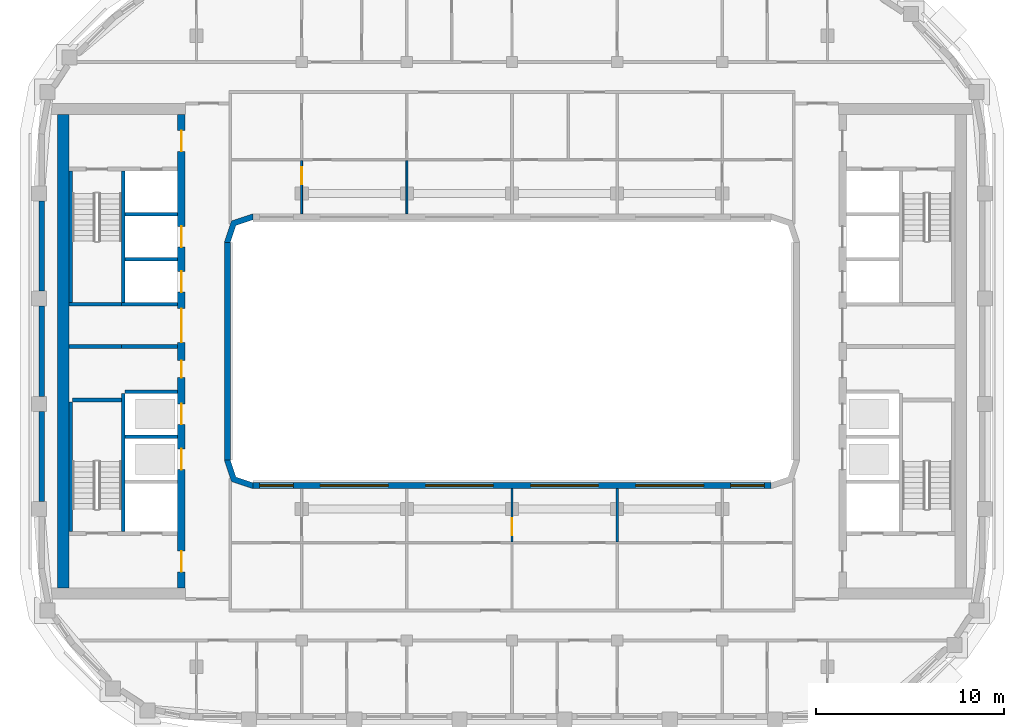
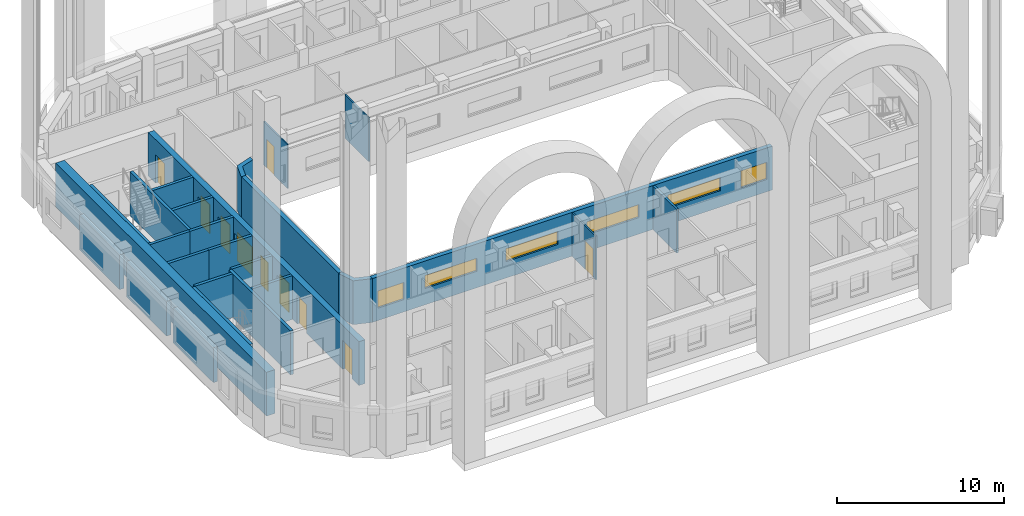
# One storey, part 4 of 19: 26 walls, 10 doors, 6 windows, 16 openings.
"""IFC4 building model written with IfcOpenShell, lengths in metres."""

from ifc_helpers import new_model, si_unit, direction, frame, frame_2d, origin, place, context, subcontext, project, spatial, polyline, rectangle, outline, extrude, material, layer, layer_set, type_object, element, fill, save


model = new_model("IFC4")

# Units and contexts
model_context = context("Model", 3, precision=1e-05, world=origin(), true_north=direction((0.0, 1.0)))
body_context = subcontext(model_context, "Body", "Model", "MODEL_VIEW")
ifc_project = project(units=[si_unit("LENGTHUNIT", "METRE"), si_unit("AREAUNIT", "SQUARE_METRE"), si_unit("VOLUMEUNIT", "CUBIC_METRE"), si_unit("PLANEANGLEUNIT", "RADIAN"), si_unit("MASSUNIT", "GRAM", prefix="KILO")], contexts=[model_context])

# Site, building, storey
site_placement = place(None, origin())
site = spatial("IfcSite", under=ifc_project, at=site_placement, CompositionType="ELEMENT")
building_placement = place(site_placement, origin())
building = spatial("IfcBuilding", under=site, at=building_placement, Name="Kiln Ring Residences", CompositionType="ELEMENT")
storey_placement = place(building_placement, frame((0.0, 0.0, 241.699951171875)))
storey = spatial("IfcBuildingStorey", under=building, at=storey_placement, Name="L62", CompositionType="ELEMENT", Elevation=241.699951171875)

# Walls
ifc_material_1 = material(Name="Gypsum board on steel studs", Category="steel")
ifc_layer_1 = layer(ifc_material_1, 0.199951171875)
ifc_layer_set_1 = layer_set([ifc_layer_1], Name="CORE-PARTITION-200")
wall_type_1 = type_object("IfcWallType", Name="CORE-PARTITION-200", PredefinedType="PARTITIONING", material=ifc_layer_set_1)
wall_1_placement = place(storey_placement, frame((-20.800048828125, 0.25, 0.0), z_axis=(0.0, 0.0, 1.0), x_axis=(-1.0, 0.0, 0.0)))
element("IfcWall", 1, at=wall_1_placement, inside=storey, type_object=wall_type_1, Name="Core partition west L62 1", PredefinedType="PARTITIONING", context=body_context, shape_type="SweptSolid", body=[
    extrude(rectangle(XDim=2.800048828125, YDim=0.199951171875, at=frame_2d((1.39990234375, 0.0))), origin(), (0.0, 0.0, 1.0), 3.199951171875),
])
ifc_material_2 = material(Name="Gypsum shaft wall system")
ifc_layer_2 = layer(ifc_material_2, 0.199951171875)
ifc_layer_set_2 = layer_set([ifc_layer_2], Name="CORE-SHAFT-WALL-200")
wall_type_2 = type_object("IfcWallType", Name="CORE-SHAFT-WALL-200", PredefinedType="PARTITIONING", material=ifc_layer_set_2)
for number, where, z_axis, x_axis, name in (
    (2, (-17.800048828125, -4.550048828125, 0.0), (0.0, 0.0, 1.0), (-1.0, 0.0, 0.0), "Core partition west L62 3"),
    (3, (-17.800048828125, -2.14990234375, 0.0), (0.0, 0.0, 1.0), (-1.0, 0.0, 0.0), "Core partition west L62 4"),
):
    element("IfcWall", number, at=place(storey_placement, frame(where, z_axis=z_axis, x_axis=x_axis)), inside=storey, type_object=wall_type_2, Name=name, PredefinedType="PARTITIONING", context=body_context, shape_type="SweptSolid", body=[
        extrude(rectangle(XDim=2.800048828125, YDim=0.199951171875, at=frame_2d((1.39990234375, 0.0))), origin(), (0.0, 0.0, 1.0), 3.199951171875),
    ])
for number, where, z_axis, x_axis, name in (
    (4, (-17.800048828125, 0.25, 0.0), (0.0, 0.0, 1.0), (-1.0, 0.0, 0.0), "Core partition west L62 5"),
    (5, (-17.800048828125, 2.5, 0.0), (0.0, 0.0, 1.0), (-1.0, 0.0, 0.0), "Core partition west L62 6"),
):
    element("IfcWall", number, at=place(storey_placement, frame(where, z_axis=z_axis, x_axis=x_axis)), inside=storey, type_object=wall_type_2, Name=name, PredefinedType="PARTITIONING", context=body_context, shape_type="SweptSolid", body=[
        extrude(rectangle(XDim=3.0, YDim=0.199951171875, at=frame_2d((1.5, 0.0))), origin(), (0.0, 0.0, 1.0), 3.199951171875),
    ])
for number, where, z_axis, x_axis, name in (
    (6, (-17.800048828125, 4.89990234375, 0.0), (0.0, 0.0, 1.0), (-1.0, 0.0, 0.0), "Core partition west L62 7"),
    (7, (-17.800048828125, 7.300048828125, 0.0), (0.0, 0.0, 1.0), (-1.0, 0.0, 0.0), "Core partition west L62 8"),
):
    element("IfcWall", number, at=place(storey_placement, frame(where, z_axis=z_axis, x_axis=x_axis)), inside=storey, type_object=wall_type_2, Name=name, PredefinedType="PARTITIONING", context=body_context, shape_type="SweptSolid", body=[
        extrude(rectangle(XDim=2.800048828125, YDim=0.199951171875, at=frame_2d((1.39990234375, 0.0))), origin(), (0.0, 0.0, 1.0), 3.199951171875),
    ])
ifc_material_3 = material(Name="Concrete C40/50", Category="concrete")
ifc_layer_3 = layer(ifc_material_3, 0.199951171875)
ifc_layer_set_3 = layer_set([ifc_layer_3], Name="CORE-WALL-RC200")
wall_type_3 = type_object("IfcWallType", Name="CORE-WALL-RC200", PredefinedType="SHEAR", material=ifc_layer_set_3)
wall_2_placement = place(storey_placement, frame((-20.699951171875, 2.60009765625, 0.0), z_axis=(0.0, 0.0, 1.0), x_axis=(0.0, 1.0, 0.0)))
element("IfcWall", 8, at=wall_2_placement, inside=storey, type_object=wall_type_3, Name="Core wall west L62 1", PredefinedType="SHEAR", context=body_context, shape_type="SweptSolid", body=[
    extrude(rectangle(XDim=7.0, YDim=0.199951171875, at=frame_2d((3.5, 0.0))), origin(), (0.0, 0.0, 1.0), 3.199951171875),
])
wall_3_placement = place(storey_placement, frame((-20.699951171875, -9.60009765625, 0.0), z_axis=(0.0, 0.0, 1.0), x_axis=(0.0, 1.0, 0.0)))
element("IfcWall", 9, at=wall_3_placement, inside=storey, type_object=wall_type_3, Name="Core wall west L62 2", PredefinedType="SHEAR", context=body_context, shape_type="SweptSolid", body=[
    extrude(rectangle(XDim=7.35009765625, YDim=0.199951171875, at=frame_2d((3.675048828125, 0.0))), origin(), (0.0, 0.0, 1.0), 3.199951171875),
])
wall_4_placement = place(storey_placement, frame((-20.800048828125, 2.5, 0.0), z_axis=(0.0, 0.0, 1.0), x_axis=(-1.0, 0.0, 0.0)))
element("IfcWall", 10, at=wall_4_placement, inside=storey, type_object=wall_type_3, Name="Core wall west L62 3", PredefinedType="SHEAR", context=body_context, shape_type="SweptSolid", body=[
    extrude(rectangle(XDim=2.800048828125, YDim=0.199951171875, at=frame_2d((1.39990234375, 0.0))), origin(), (0.0, 0.0, 1.0), 3.199951171875),
])
wall_5_placement = place(storey_placement, frame((-23.5, 2.60009765625, 0.0), z_axis=(0.0, 0.0, 1.0), x_axis=(0.0, 1.0, 0.0)))
element("IfcWall", 11, at=wall_5_placement, inside=storey, type_object=wall_type_3, Name="Core wall west L62 10", PredefinedType="SHEAR", context=body_context, shape_type="SweptSolid", body=[
    extrude(rectangle(XDim=7.0, YDim=0.199951171875, at=frame_2d((3.5, 0.0))), origin(), (0.0, 0.0, 1.0), 3.199951171875),
])
wall_6_placement = place(storey_placement, frame((-23.5, -9.60009765625, 0.0), z_axis=(0.0, 0.0, 1.0), x_axis=(0.0, 1.0, 0.0)))
element("IfcWall", 12, at=wall_6_placement, inside=storey, type_object=wall_type_3, Name="Core wall west L62 11", PredefinedType="SHEAR", context=body_context, shape_type="SweptSolid", body=[
    extrude(rectangle(XDim=6.900146484375, YDim=0.199951171875, at=frame_2d((3.4501953125, 0.0))), origin(), (0.0, 0.0, 1.0), 3.199951171875),
])
wall_7_placement = place(storey_placement, frame((-20.800048828125, -2.60009765625, 0.0), z_axis=(0.0, 0.0, 1.0), x_axis=(-1.0, 0.0, 0.0)))
element("IfcWall", 13, at=wall_7_placement, inside=storey, type_object=wall_type_3, Name="Core wall west L62 12", PredefinedType="SHEAR", context=body_context, shape_type="SweptSolid", body=[
    extrude(rectangle(XDim=2.599853515625, YDim=0.199951171875, at=frame_2d((1.2998046875, 0.0))), origin(), (0.0, 0.0, 1.0), 3.199951171875),
])

# Wall, openings, doors
ifc_material_4 = material(Name="Concrete C60/75", Category="concrete")
ifc_layer_4 = layer(ifc_material_4, 0.39990234375)
ifc_layer_set_4 = layer_set([ifc_layer_4], Name="CORE-WALL-RC400")
wall_type_4 = type_object("IfcWallType", Name="CORE-WALL-RC400", PredefinedType="SHEAR", material=ifc_layer_set_4)
wall_8_placement = place(storey_placement, frame((-17.60009765625, -12.60009765625, 0.0), z_axis=(0.0, 0.0, 1.0), x_axis=(0.0, 1.0, 0.0)))
wall_8 = element("IfcWall", 14, at=wall_8_placement, inside=storey, type_object=wall_type_4, Name="Core wall west L62 6", PredefinedType="SHEAR", context=body_context, shape_type="SweptSolid", body=[
    extrude(rectangle(XDim=25.2001953125, YDim=0.39990234375, at=frame_2d((12.60009765625, 0.0))), origin(), (0.0, 0.0, 1.0), 3.199951171875),
])
opening_1_placement = place(wall_8_placement, frame((6.300048828125, 0.0, 0.0)))
opening_1 = element("IfcOpeningElement", 15, at=opening_1_placement, cuts=wall_8, Name="Opening L62-CW02", PredefinedType="OPENING", context=body_context, shape_type="SweptSolid", body=[
    extrude(rectangle(XDim=1.10009765625, YDim=2.10009765625, at=frame_2d((0.550048828125, 1.050048828125))), frame((0.0, 0.2099609375, 0.0), z_axis=(0.0, -1.0, 0.0), x_axis=(1.0, 0.0, 0.0)), (0.0, 0.0, 1.0), 0.419921875),
])
opening_2_placement = place(wall_8_placement, frame((8.699951171875, 0.0, 0.0)))
opening_2 = element("IfcOpeningElement", 16, at=opening_2_placement, cuts=wall_8, Name="Opening L62-CW03", PredefinedType="OPENING", context=body_context, shape_type="SweptSolid", body=[
    extrude(rectangle(XDim=1.10009765625, YDim=2.10009765625, at=frame_2d((0.550048828125, 1.050048828125))), frame((0.0, 0.2099609375, 0.0), z_axis=(0.0, -1.0, 0.0), x_axis=(1.0, 0.0, 0.0)), (0.0, 0.0, 1.0), 0.419921875),
])
opening_3_placement = place(wall_8_placement, frame((11.199951171875, 0.0, 0.0)))
opening_3 = element("IfcOpeningElement", 17, at=opening_3_placement, cuts=wall_8, Name="Opening L62-CW04", PredefinedType="OPENING", context=body_context, shape_type="SweptSolid", body=[
    extrude(rectangle(XDim=0.89990234375, YDim=2.10009765625, at=frame_2d((0.449951171875, 1.050048828125))), frame((0.0, 0.2099609375, 0.0), z_axis=(0.0, -1.0, 0.0), x_axis=(1.0, 0.0, 0.0)), (0.0, 0.0, 1.0), 0.419921875),
])
opening_4_placement = place(wall_8_placement, frame((15.75, 0.0, 0.0)))
opening_4 = element("IfcOpeningElement", 18, at=opening_4_placement, cuts=wall_8, Name="Opening L62-CW05", PredefinedType="OPENING", context=body_context, shape_type="SweptSolid", body=[
    extrude(rectangle(XDim=1.10009765625, YDim=2.10009765625, at=frame_2d((0.550048828125, 1.050048828125))), frame((0.0, 0.2099609375, 0.0), z_axis=(0.0, -1.0, 0.0), x_axis=(1.0, 0.0, 0.0)), (0.0, 0.0, 1.0), 0.419921875),
])
opening_5_placement = place(wall_8_placement, frame((18.14990234375, 0.0, 0.0)))
opening_5 = element("IfcOpeningElement", 19, at=opening_5_placement, cuts=wall_8, Name="Opening L62-CW06", PredefinedType="OPENING", context=body_context, shape_type="SweptSolid", body=[
    extrude(rectangle(XDim=1.10009765625, YDim=2.10009765625, at=frame_2d((0.550048828125, 1.050048828125))), frame((0.0, 0.2099609375, 0.0), z_axis=(0.0, -1.0, 0.0), x_axis=(1.0, 0.0, 0.0)), (0.0, 0.0, 1.0), 0.419921875),
])
opening_6_placement = place(wall_8_placement, frame((23.25, 0.0, 0.0)))
opening_6 = element("IfcOpeningElement", 20, at=opening_6_placement, cuts=wall_8, Name="Opening L62-CW08", PredefinedType="OPENING", context=body_context, shape_type="SweptSolid", body=[
    extrude(rectangle(XDim=1.10009765625, YDim=2.10009765625, at=frame_2d((0.550048828125, 1.050048828125))), frame((0.0, 0.2099609375, 0.0), z_axis=(0.0, -1.0, 0.0), x_axis=(1.0, 0.0, 0.0)), (0.0, 0.0, 1.0), 0.419921875),
])
opening_7_placement = place(wall_8_placement, frame((0.85009765625, 0.0, 0.0)))
opening_7 = element("IfcOpeningElement", 21, at=opening_7_placement, cuts=wall_8, Name="Opening L62-CW09", PredefinedType="OPENING", context=body_context, shape_type="SweptSolid", body=[
    extrude(rectangle(XDim=1.10009765625, YDim=2.10009765625, at=frame_2d((0.550048828125, 1.050048828125))), frame((0.0, 0.2099609375, 0.0), z_axis=(0.0, -1.0, 0.0), x_axis=(1.0, 0.0, 0.0)), (0.0, 0.0, 1.0), 0.419921875),
])
opening_8_placement = place(wall_8_placement, frame((13.074951171875, 0.0, 0.0)))
opening_8 = element("IfcOpeningElement", 22, at=opening_8_placement, cuts=wall_8, Name="Opening L62-CW12", PredefinedType="OPENING", context=body_context, shape_type="SweptSolid", body=[
    extrude(rectangle(XDim=1.800048828125, YDim=2.10009765625, at=frame_2d((0.89990234375, 1.050048828125))), frame((0.0, 0.2099609375, 0.0), z_axis=(0.0, -1.0, 0.0), x_axis=(1.0, 0.0, 0.0)), (0.0, 0.0, 1.0), 0.419921875),
])
ifc_material_5 = material(Name="Steel door leaf", Category="steel")
door_type_1 = type_object("IfcDoorType", Name="CORE-DOOR-LD", OperationType="DOUBLE_DOOR_SLIDING", PredefinedType="DOOR", material=ifc_material_5)
door_1_placement = place(opening_1_placement, origin())
door_1 = element("IfcDoor", 23, at=door_1_placement, inside=storey, type_object=door_type_1, Name="LD W-H1 L62-CW02", OperationType="DOUBLE_DOOR_SLIDING", OverallHeight=2.10009765625, OverallWidth=1.10009765625, PredefinedType="DOOR", context=body_context, shape_type="SweptSolid", body=[
    extrude(rectangle(XDim=1.10009765625, YDim=2.10009765625, at=frame_2d((0.550048828125, 1.050048828125))), frame((0.0, 0.02490234375, 0.0), z_axis=(0.0, -1.0, 0.0), x_axis=(1.0, 0.0, 0.0)), (0.0, 0.0, 1.0), 0.050048828125),
])
fill(opening_1, door_1)
door_2_placement = place(opening_2_placement, origin())
door_2 = element("IfcDoor", 24, at=door_2_placement, inside=storey, type_object=door_type_1, Name="LD W-H2 L62-CW03", OperationType="DOUBLE_DOOR_SLIDING", OverallHeight=2.10009765625, OverallWidth=1.10009765625, PredefinedType="DOOR", context=body_context, shape_type="SweptSolid", body=[
    extrude(rectangle(XDim=1.10009765625, YDim=2.10009765625, at=frame_2d((0.550048828125, 1.050048828125))), frame((0.0, 0.02490234375, 0.0), z_axis=(0.0, -1.0, 0.0), x_axis=(1.0, 0.0, 0.0)), (0.0, 0.0, 1.0), 0.050048828125),
])
fill(opening_2, door_2)
door_3_placement = place(opening_4_placement, origin())
door_3 = element("IfcDoor", 25, at=door_3_placement, inside=storey, type_object=door_type_1, Name="LD W-M1 L62-CW05", OperationType="DOUBLE_DOOR_SLIDING", OverallHeight=2.10009765625, OverallWidth=1.10009765625, PredefinedType="DOOR", context=body_context, shape_type="SweptSolid", body=[
    extrude(rectangle(XDim=1.10009765625, YDim=2.10009765625, at=frame_2d((0.550048828125, 1.050048828125))), frame((0.0, 0.02490234375, 0.0), z_axis=(0.0, -1.0, 0.0), x_axis=(1.0, 0.0, 0.0)), (0.0, 0.0, 1.0), 0.050048828125),
])
fill(opening_4, door_3)
door_4_placement = place(opening_5_placement, origin())
door_4 = element("IfcDoor", 26, at=door_4_placement, inside=storey, type_object=door_type_1, Name="LD W-M2 L62-CW06", OperationType="DOUBLE_DOOR_SLIDING", OverallHeight=2.10009765625, OverallWidth=1.10009765625, PredefinedType="DOOR", context=body_context, shape_type="SweptSolid", body=[
    extrude(rectangle(XDim=1.10009765625, YDim=2.10009765625, at=frame_2d((0.550048828125, 1.050048828125))), frame((0.0, 0.02490234375, 0.0), z_axis=(0.0, -1.0, 0.0), x_axis=(1.0, 0.0, 0.0)), (0.0, 0.0, 1.0), 0.050048828125),
])
fill(opening_5, door_4)
ifc_material_6 = material(Name="Steel door leaf", Category="steel")
door_type_2 = type_object("IfcDoorType", Name="CORE-DOOR-LOBBY", OperationType="SINGLE_SWING_LEFT", PredefinedType="DOOR", material=ifc_material_6)
door_5_placement = place(opening_6_placement, origin())
door_5 = element("IfcDoor", 27, at=door_5_placement, inside=storey, type_object=door_type_2, Name="FFL L62-CW08", OperationType="SINGLE_SWING_LEFT", OverallHeight=2.10009765625, OverallWidth=1.10009765625, PredefinedType="DOOR", context=body_context, shape_type="SweptSolid", body=[
    extrude(rectangle(XDim=1.10009765625, YDim=2.10009765625, at=frame_2d((0.550048828125, 1.050048828125))), frame((0.0, 0.02490234375, 0.0), z_axis=(0.0, -1.0, 0.0), x_axis=(1.0, 0.0, 0.0)), (0.0, 0.0, 1.0), 0.050048828125),
])
fill(opening_6, door_5)
door_6_placement = place(opening_7_placement, origin())
door_6 = element("IfcDoor", 28, at=door_6_placement, inside=storey, type_object=door_type_2, Name="SVL L62-CW09", OperationType="SINGLE_SWING_RIGHT", OverallHeight=2.10009765625, OverallWidth=1.10009765625, PredefinedType="DOOR", context=body_context, shape_type="SweptSolid", body=[
    extrude(rectangle(XDim=1.10009765625, YDim=2.10009765625, at=frame_2d((0.550048828125, 1.050048828125))), frame((0.0, 0.02490234375, 0.0), z_axis=(0.0, -1.0, 0.0), x_axis=(1.0, 0.0, 0.0)), (0.0, 0.0, 1.0), 0.050048828125),
])
fill(opening_7, door_6)
ifc_material_7 = material(Name="Steel door leaf", Category="steel")
door_type_3 = type_object("IfcDoorType", Name="CORE-DOOR-PASS", OperationType="DOUBLE_DOOR_SINGLE_SWING", PredefinedType="DOOR", material=ifc_material_7)
door_7_placement = place(opening_8_placement, origin())
door_7 = element("IfcDoor", 29, at=door_7_placement, inside=storey, type_object=door_type_3, Name="Core passage L62-CW12", OperationType="DOUBLE_DOOR_SINGLE_SWING", OverallHeight=2.10009765625, OverallWidth=1.800048828125, PredefinedType="DOOR", context=body_context, shape_type="SweptSolid", body=[
    extrude(rectangle(XDim=1.800048828125, YDim=2.10009765625, at=frame_2d((0.89990234375, 1.050048828125))), frame((0.0, 0.02490234375, 0.0), z_axis=(0.0, -1.0, 0.0), x_axis=(1.0, 0.0, 0.0)), (0.0, 0.0, 1.0), 0.050048828125),
])
fill(opening_8, door_7)
ifc_material_8 = material(Name="Steel door leaf", Category="steel")
door_type_4 = type_object("IfcDoorType", Name="CORE-DOOR-ROOM", OperationType="SINGLE_SWING_LEFT", PredefinedType="DOOR", material=ifc_material_8)
door_8_placement = place(opening_3_placement, origin())
door_8 = element("IfcDoor", 30, at=door_8_placement, inside=storey, type_object=door_type_4, Name="Cleaner's base L62-CW04", OperationType="SINGLE_SWING_RIGHT", OverallHeight=2.10009765625, OverallWidth=0.89990234375, PredefinedType="DOOR", context=body_context, shape_type="SweptSolid", body=[
    extrude(rectangle(XDim=0.89990234375, YDim=2.10009765625, at=frame_2d((0.449951171875, 1.050048828125))), frame((0.0, 0.02490234375, 0.0), z_axis=(0.0, -1.0, 0.0), x_axis=(1.0, 0.0, 0.0)), (0.0, 0.0, 1.0), 0.050048828125),
])
fill(opening_3, door_8)

# Walls
ifc_material_9 = material(Name="Concrete C60/75", Category="concrete")
ifc_layer_5 = layer(ifc_material_9, 0.60009765625)
ifc_layer_set_5 = layer_set([ifc_layer_5], Name="CORE-WALL-RC600")
wall_type_5 = type_object("IfcWallType", Name="CORE-WALL-RC600", PredefinedType="SHEAR", material=ifc_layer_set_5)
wall_9_placement = place(storey_placement, frame((-23.89990234375, -12.60009765625, 0.0), z_axis=(0.0, 0.0, 1.0), x_axis=(0.0, 1.0, 0.0)))
element("IfcWall", 31, at=wall_9_placement, inside=storey, type_object=wall_type_5, Name="Core wall west L62 7", PredefinedType="SHEAR", context=body_context, shape_type="SweptSolid", body=[
    extrude(rectangle(XDim=25.2001953125, YDim=0.60009765625, at=frame_2d((12.60009765625, 0.0))), origin(), (0.0, 0.0, 1.0), 3.199951171875),
])
ifc_material_10 = material(Name="Brick masonry, dark clay brick", Category="masonry")
ifc_layer_6 = layer(ifc_material_10, 0.300048828125)
ifc_layer_set_6 = layer_set([ifc_layer_6], Name="EW-300 BRICK WALL")
wall_type_6 = type_object("IfcWallType", Name="EW-300 BRICK WALL", PredefinedType="SOLIDWALL", material=ifc_layer_set_6)
wall_10_placement = place(storey_placement, frame((-25.050048828125, 8.0, 0.0), z_axis=(0.0, 0.0, 1.0), x_axis=(0.0, -1.0, 0.0)))
element("IfcWall", 32, at=wall_10_placement, inside=storey, type_object=wall_type_6, Name="Facade wall L62 39", PredefinedType="SOLIDWALL", context=body_context, shape_type="SweptSolid", body=[
    extrude(rectangle(XDim=4.800048828125, YDim=0.300048828125, at=frame_2d((2.39990234375, 0.0))), origin(), (0.0, 0.0, 1.0), 2.550048828125),
])
wall_11_placement = place(storey_placement, frame((-25.050048828125, 2.39990234375, 0.0), z_axis=(0.0, 0.0, 1.0), x_axis=(0.0, -1.0, 0.0)))
element("IfcWall", 33, at=wall_11_placement, inside=storey, type_object=wall_type_6, Name="Facade wall L62 40", PredefinedType="SOLIDWALL", context=body_context, shape_type="SweptSolid", body=[
    extrude(rectangle(XDim=4.7998046875, YDim=0.300048828125, at=frame_2d((2.39990234375, 0.0))), origin(), (0.0, 0.0, 1.0), 2.550048828125),
])
wall_12_placement = place(storey_placement, frame((-25.050048828125, -3.199951171875, 0.0), z_axis=(0.0, 0.0, 1.0), x_axis=(0.0, -1.0, 0.0)))
element("IfcWall", 34, at=wall_12_placement, inside=storey, type_object=wall_type_6, Name="Facade wall L62 41", PredefinedType="SOLIDWALL", context=body_context, shape_type="SweptSolid", body=[
    extrude(rectangle(XDim=4.800048828125, YDim=0.300048828125, at=frame_2d((2.39990234375, 0.0))), origin(), (0.0, 0.0, 1.0), 2.550048828125),
])
wall_13_placement = place(storey_placement, frame((-15.14990234375, -5.800048828125, 0.0), z_axis=(0.0, 0.0, 1.0), x_axis=(0.0, 1.0, 0.0)))
element("IfcWall", 35, at=wall_13_placement, inside=storey, type_object=wall_type_6, Name="Facade wall L62 45", PredefinedType="SOLIDWALL", context=body_context, shape_type="SweptSolid", body=[
    extrude(rectangle(XDim=11.60009765625, YDim=0.300048828125, at=frame_2d((5.800048828125, 0.0))), origin(), (0.0, 0.0, 1.0), 3.199951171875),
])

# Wall, openings, windows
wall_14_placement = place(storey_placement, frame((13.800048828125, -7.14990234375, 0.0), z_axis=(0.0, 0.0, 1.0), x_axis=(-1.0, 0.0, 0.0)))
wall_14 = element("IfcWall", 36, at=wall_14_placement, inside=storey, type_object=wall_type_6, Name="Facade wall L62 48", PredefinedType="SOLIDWALL", context=body_context, shape_type="SweptSolid", body=[
    extrude(rectangle(XDim=27.60009765625, YDim=0.300048828125, at=frame_2d((13.800048828125, 0.0))), origin(), (0.0, 0.0, 1.0), 3.199951171875),
])
opening_9_placement = place(wall_14_placement, frame((0.362548828125, 0.0, 0.89990234375)))
opening_9 = element("IfcOpeningElement", 37, at=opening_9_placement, cuts=wall_14, Name="Opening W2", PredefinedType="OPENING", context=body_context, shape_type="SweptSolid", body=[
    extrude(rectangle(XDim=1.800048828125, YDim=1.25, at=frame_2d((0.89990234375, 0.625))), frame((0.0, 0.159912109375, 0.0), z_axis=(0.0, -1.0, 0.0), x_axis=(1.0, 0.0, 0.0)), (0.0, 0.0, 1.0), 0.320068359375),
])
opening_10_placement = place(wall_14_placement, frame((3.60009765625, 0.0, 1.199951171875)))
opening_10 = element("IfcOpeningElement", 38, at=opening_10_placement, cuts=wall_14, Name="Opening W4", PredefinedType="OPENING", context=body_context, shape_type="SweptSolid", body=[
    extrude(rectangle(XDim=3.60009765625, YDim=0.949951171875, at=frame_2d((1.800048828125, 0.47509765625))), frame((0.0, 0.159912109375, 0.0), z_axis=(0.0, -1.0, 0.0), x_axis=(1.0, 0.0, 0.0)), (0.0, 0.0, 1.0), 0.320068359375),
])
opening_11_placement = place(wall_14_placement, frame((9.199951171875, 0.0, 1.199951171875)))
opening_11 = element("IfcOpeningElement", 39, at=opening_11_placement, cuts=wall_14, Name="Opening W4", PredefinedType="OPENING", context=body_context, shape_type="SweptSolid", body=[
    extrude(rectangle(XDim=3.60009765625, YDim=0.949951171875, at=frame_2d((1.800048828125, 0.47509765625))), frame((0.0, 0.159912109375, 0.0), z_axis=(0.0, -1.0, 0.0), x_axis=(1.0, 0.0, 0.0)), (0.0, 0.0, 1.0), 0.320068359375),
])
opening_12_placement = place(wall_14_placement, frame((14.800048828125, 0.0, 1.199951171875)))
opening_12 = element("IfcOpeningElement", 40, at=opening_12_placement, cuts=wall_14, Name="Opening W4", PredefinedType="OPENING", context=body_context, shape_type="SweptSolid", body=[
    extrude(rectangle(XDim=3.60009765625, YDim=0.949951171875, at=frame_2d((1.800048828125, 0.47509765625))), frame((0.0, 0.159912109375, 0.0), z_axis=(0.0, -1.0, 0.0), x_axis=(1.0, 0.0, 0.0)), (0.0, 0.0, 1.0), 0.320068359375),
])
opening_13_placement = place(wall_14_placement, frame((20.39990234375, 0.0, 1.199951171875)))
opening_13 = element("IfcOpeningElement", 41, at=opening_13_placement, cuts=wall_14, Name="Opening W4", PredefinedType="OPENING", context=body_context, shape_type="SweptSolid", body=[
    extrude(rectangle(XDim=3.60009765625, YDim=0.949951171875, at=frame_2d((1.800048828125, 0.47509765625))), frame((0.0, 0.159912109375, 0.0), z_axis=(0.0, -1.0, 0.0), x_axis=(1.0, 0.0, 0.0)), (0.0, 0.0, 1.0), 0.320068359375),
])
opening_14_placement = place(wall_14_placement, frame((25.4375, 0.0, 0.89990234375)))
opening_14 = element("IfcOpeningElement", 42, at=opening_14_placement, cuts=wall_14, Name="Opening W2", PredefinedType="OPENING", context=body_context, shape_type="SweptSolid", body=[
    extrude(rectangle(XDim=1.800048828125, YDim=1.25, at=frame_2d((0.89990234375, 0.625))), frame((0.0, 0.159912109375, 0.0), z_axis=(0.0, -1.0, 0.0), x_axis=(1.0, 0.0, 0.0)), (0.0, 0.0, 1.0), 0.320068359375),
])
ifc_material_11 = material(Name="Aluminium frame with double glazing", Category="aluminium")
window_type_1 = type_object("IfcWindowType", Name="WINDOW 1800 x 1250", PartitioningType="SINGLE_PANEL", PredefinedType="WINDOW", material=ifc_material_11)
window_1_placement = place(opening_9_placement, origin())
window_1 = element("IfcWindow", 43, at=window_1_placement, inside=storey, type_object=window_type_1, Name="Window L62 43", OverallHeight=1.25, OverallWidth=1.800048828125, PartitioningType="SINGLE_PANEL", PredefinedType="WINDOW", context=body_context, shape_type="SweptSolid", body=[
    extrude(rectangle(XDim=1.800048828125, YDim=1.25, at=frame_2d((0.89990234375, 0.625))), frame((0.0, 0.030029296875, 0.0), z_axis=(0.0, -1.0, 0.0), x_axis=(1.0, 0.0, 0.0)), (0.0, 0.0, 1.0), 0.06005859375),
])
fill(opening_9, window_1)
window_2_placement = place(opening_14_placement, origin())
window_2 = element("IfcWindow", 44, at=window_2_placement, inside=storey, type_object=window_type_1, Name="Window L62 48", OverallHeight=1.25, OverallWidth=1.800048828125, PartitioningType="SINGLE_PANEL", PredefinedType="WINDOW", context=body_context, shape_type="SweptSolid", body=[
    extrude(rectangle(XDim=1.800048828125, YDim=1.25, at=frame_2d((0.89990234375, 0.625))), frame((0.0, 0.030029296875, 0.0), z_axis=(0.0, -1.0, 0.0), x_axis=(1.0, 0.0, 0.0)), (0.0, 0.0, 1.0), 0.06005859375),
])
fill(opening_14, window_2)
ifc_material_12 = material(Name="Aluminium frame with double glazing", Category="aluminium")
window_type_2 = type_object("IfcWindowType", Name="WINDOW 3600 x 950", PartitioningType="SINGLE_PANEL", PredefinedType="WINDOW", material=ifc_material_12)
window_3_placement = place(opening_10_placement, origin())
window_3 = element("IfcWindow", 45, at=window_3_placement, inside=storey, type_object=window_type_2, Name="Window L62 44", OverallHeight=0.949951171875, OverallWidth=3.60009765625, PartitioningType="SINGLE_PANEL", PredefinedType="WINDOW", context=body_context, shape_type="SweptSolid", body=[
    extrude(rectangle(XDim=3.60009765625, YDim=0.949951171875, at=frame_2d((1.800048828125, 0.47509765625))), frame((0.0, 0.030029296875, 0.0), z_axis=(0.0, -1.0, 0.0), x_axis=(1.0, 0.0, 0.0)), (0.0, 0.0, 1.0), 0.06005859375),
])
fill(opening_10, window_3)
window_4_placement = place(opening_11_placement, origin())
window_4 = element("IfcWindow", 46, at=window_4_placement, inside=storey, type_object=window_type_2, Name="Window L62 45", OverallHeight=0.949951171875, OverallWidth=3.60009765625, PartitioningType="SINGLE_PANEL", PredefinedType="WINDOW", context=body_context, shape_type="SweptSolid", body=[
    extrude(rectangle(XDim=3.60009765625, YDim=0.949951171875, at=frame_2d((1.800048828125, 0.47509765625))), frame((0.0, 0.030029296875, 0.0), z_axis=(0.0, -1.0, 0.0), x_axis=(1.0, 0.0, 0.0)), (0.0, 0.0, 1.0), 0.06005859375),
])
fill(opening_11, window_4)
window_5_placement = place(opening_12_placement, origin())
window_5 = element("IfcWindow", 47, at=window_5_placement, inside=storey, type_object=window_type_2, Name="Window L62 46", OverallHeight=0.949951171875, OverallWidth=3.60009765625, PartitioningType="SINGLE_PANEL", PredefinedType="WINDOW", context=body_context, shape_type="SweptSolid", body=[
    extrude(rectangle(XDim=3.60009765625, YDim=0.949951171875, at=frame_2d((1.800048828125, 0.47509765625))), frame((0.0, 0.030029296875, 0.0), z_axis=(0.0, -1.0, 0.0), x_axis=(1.0, 0.0, 0.0)), (0.0, 0.0, 1.0), 0.06005859375),
])
fill(opening_12, window_5)
window_6_placement = place(opening_13_placement, origin())
window_6 = element("IfcWindow", 48, at=window_6_placement, inside=storey, type_object=window_type_2, Name="Window L62 47", OverallHeight=0.949951171875, OverallWidth=3.60009765625, PartitioningType="SINGLE_PANEL", PredefinedType="WINDOW", context=body_context, shape_type="SweptSolid", body=[
    extrude(rectangle(XDim=3.60009765625, YDim=0.949951171875, at=frame_2d((1.800048828125, 0.47509765625))), frame((0.0, 0.030029296875, 0.0), z_axis=(0.0, -1.0, 0.0), x_axis=(1.0, 0.0, 0.0)), (0.0, 0.0, 1.0), 0.06005859375),
])
fill(opening_13, window_6)

# Walls
placement = place(storey_placement, origin())
element("IfcWall", 49, at=placement, inside=storey, type_object=wall_type_6, Name="Corner wall L62 1", PredefinedType="SOLIDWALL", context=body_context, shape_type="SweptSolid", body=[
    extrude(outline(polyline([(-13.8486328125, 7.300048828125), (-14.937255859375, 6.937255859375), (-15.300048828125, 5.8486328125), (-15.300048828125, 5.800048828125), (-15.0, 5.800048828125), (-14.699951171875, 6.699951171875), (-13.800048828125, 7.0), (-13.800048828125, 7.300048828125), (-13.8486328125, 7.300048828125)])), origin(), (0.0, 0.0, 1.0), 3.199951171875),
])
element("IfcWall", 50, at=placement, inside=storey, type_object=wall_type_6, Name="Corner wall L62 4", PredefinedType="SOLIDWALL", context=body_context, shape_type="SweptSolid", body=[
    extrude(outline(polyline([(-14.937255859375, -6.937255859375), (-13.8486328125, -7.300048828125), (-13.800048828125, -7.300048828125), (-13.800048828125, -7.0), (-14.699951171875, -6.699951171875), (-15.0, -5.800048828125), (-15.300048828125, -5.800048828125), (-15.300048828125, -5.8486328125), (-14.937255859375, -6.937255859375)])), origin(), (0.0, 0.0, 1.0), 3.199951171875),
])

# Wall, opening, door
ifc_material_13 = material(Name="Gypsum board on steel studs", Category="steel")
ifc_layer_7 = layer(ifc_material_13, 0.10009765625)
ifc_layer_set_7 = layer_set([ifc_layer_7], Name="PARTITION-100")
wall_type_7 = type_object("IfcWallType", Name="PARTITION-100", PredefinedType="PARTITIONING", material=ifc_layer_set_7)
wall_17_placement = place(storey_placement, frame((-11.199951171875, 7.320068359375, 0.0), z_axis=(0.0, 0.0, 1.0), x_axis=(0.0, 1.0, 0.0)))
wall_17 = element("IfcWall", 51, at=wall_17_placement, inside=storey, type_object=wall_type_7, Name="Partition 017", PredefinedType="PARTITIONING", context=body_context, shape_type="SweptSolid", body=[
    extrude(rectangle(XDim=2.829833984375, YDim=0.10009765625, at=frame_2d((1.4150390625, 0.0))), origin(), (0.0, 0.0, 1.0), 3.199951171875),
])
opening_15_placement = place(wall_17_placement, frame((1.580078125, 0.0, 0.0)))
opening_15 = element("IfcOpeningElement", 52, at=opening_15_placement, cuts=wall_17, Name="Opening L62-D010", PredefinedType="OPENING", context=body_context, shape_type="SweptSolid", body=[
    extrude(rectangle(XDim=0.89990234375, YDim=2.10009765625, at=frame_2d((0.449951171875, 1.050048828125))), frame((0.0, 0.06005859375, 0.0), z_axis=(0.0, -1.0, 0.0), x_axis=(1.0, 0.0, 0.0)), (0.0, 0.0, 1.0), 0.1201171875),
])
ifc_material_14 = material(Name="Timber door leaf", Category="wood")
door_type_5 = type_object("IfcDoorType", Name="FLAT-DOOR-900-PL", OperationType="SINGLE_SWING_LEFT", PredefinedType="DOOR", material=ifc_material_14)
door_9_placement = place(opening_15_placement, origin())
door_9 = element("IfcDoor", 53, at=door_9_placement, inside=storey, type_object=door_type_5, Name="Door L62-D010", OperationType="SINGLE_SWING_LEFT", OverallHeight=2.10009765625, OverallWidth=0.89990234375, PredefinedType="DOOR", context=body_context, shape_type="SweptSolid", body=[
    extrude(rectangle(XDim=0.89990234375, YDim=2.10009765625, at=frame_2d((0.449951171875, 1.050048828125))), frame((0.0, 0.02490234375, 0.0), z_axis=(0.0, -1.0, 0.0), x_axis=(1.0, 0.0, 0.0)), (0.0, 0.0, 1.0), 0.050048828125),
])
fill(opening_15, door_9)

# Wall
wall_18_placement = place(storey_placement, frame((-5.60009765625, 7.320068359375, 0.0), z_axis=(0.0, 0.0, 1.0), x_axis=(0.0, 1.0, 0.0)))
element("IfcWall", 54, at=wall_18_placement, inside=storey, type_object=wall_type_7, Name="Partition 024", PredefinedType="PARTITIONING", context=body_context, shape_type="SweptSolid", body=[
    extrude(rectangle(XDim=2.829833984375, YDim=0.10009765625, at=frame_2d((1.4150390625, 0.0))), origin(), (0.0, 0.0, 1.0), 3.199951171875),
])

# Wall, opening, door
wall_19_placement = place(storey_placement, frame((0.0, -10.14990234375, 0.0), z_axis=(0.0, 0.0, 1.0), x_axis=(0.0, 1.0, 0.0)))
wall_19 = element("IfcWall", 55, at=wall_19_placement, inside=storey, type_object=wall_type_7, Name="Partition 031", PredefinedType="PARTITIONING", context=body_context, shape_type="SweptSolid", body=[
    extrude(rectangle(XDim=2.829833984375, YDim=0.10009765625, at=frame_2d((1.4150390625, 0.0))), origin(), (0.0, 0.0, 1.0), 3.199951171875),
])
opening_16_placement = place(wall_19_placement, frame((0.35009765625, 0.0, 0.0)))
opening_16 = element("IfcOpeningElement", 56, at=opening_16_placement, cuts=wall_19, Name="Opening L62-D036", PredefinedType="OPENING", context=body_context, shape_type="SweptSolid", body=[
    extrude(rectangle(XDim=0.89990234375, YDim=2.10009765625, at=frame_2d((0.449951171875, 1.050048828125))), frame((0.0, 0.06005859375, 0.0), z_axis=(0.0, -1.0, 0.0), x_axis=(1.0, 0.0, 0.0)), (0.0, 0.0, 1.0), 0.1201171875),
])
door_10_placement = place(opening_16_placement, origin())
door_10 = element("IfcDoor", 57, at=door_10_placement, inside=storey, type_object=door_type_5, Name="Door L62-D036", OperationType="SINGLE_SWING_LEFT", OverallHeight=2.10009765625, OverallWidth=0.89990234375, PredefinedType="DOOR", context=body_context, shape_type="SweptSolid", body=[
    extrude(rectangle(XDim=0.89990234375, YDim=2.10009765625, at=frame_2d((0.449951171875, 1.050048828125))), frame((0.0, 0.02490234375, 0.0), z_axis=(0.0, -1.0, 0.0), x_axis=(1.0, 0.0, 0.0)), (0.0, 0.0, 1.0), 0.050048828125),
])
fill(opening_16, door_10)

# Wall
ifc_material_15 = material(Name="Brick masonry partition", Category="masonry")
ifc_layer_8 = layer(ifc_material_15, 0.14990234375)
ifc_layer_set_8 = layer_set([ifc_layer_8], Name="PARTITION-150-ei60")
wall_type_8 = type_object("IfcWallType", Name="PARTITION-150-ei60", PredefinedType="PARTITIONING", material=ifc_layer_set_8)
wall_20_placement = place(storey_placement, frame((5.60009765625, -10.14990234375, 0.0), z_axis=(0.0, 0.0, 1.0), x_axis=(0.0, 1.0, 0.0)))
element("IfcWall", 58, at=wall_20_placement, inside=storey, type_object=wall_type_8, Name="Partition 041", PredefinedType="PARTITIONING", context=body_context, shape_type="SweptSolid", body=[
    extrude(rectangle(XDim=2.829833984375, YDim=0.14990234375, at=frame_2d((1.4150390625, 0.0))), origin(), (0.0, 0.0, 1.0), 3.199951171875),
])

save(model, "model.ifc")
